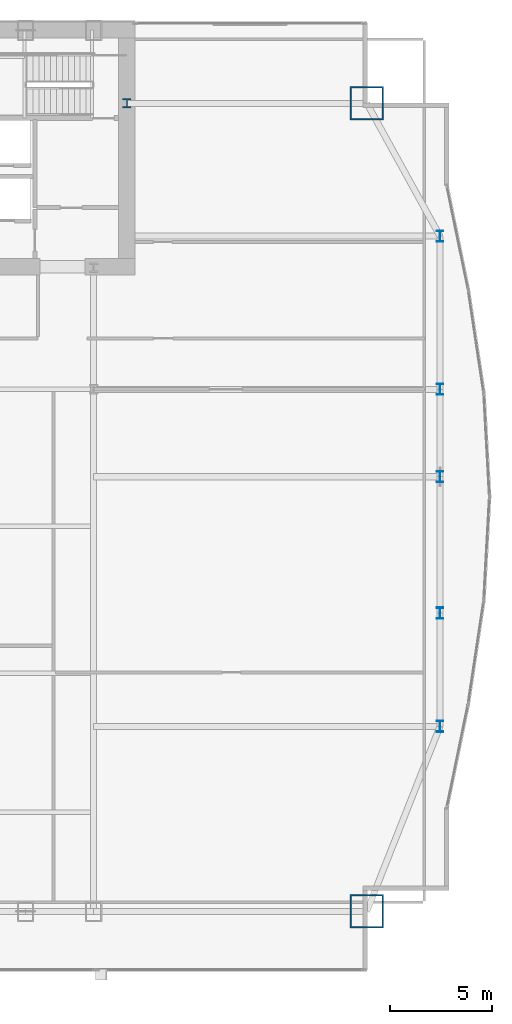
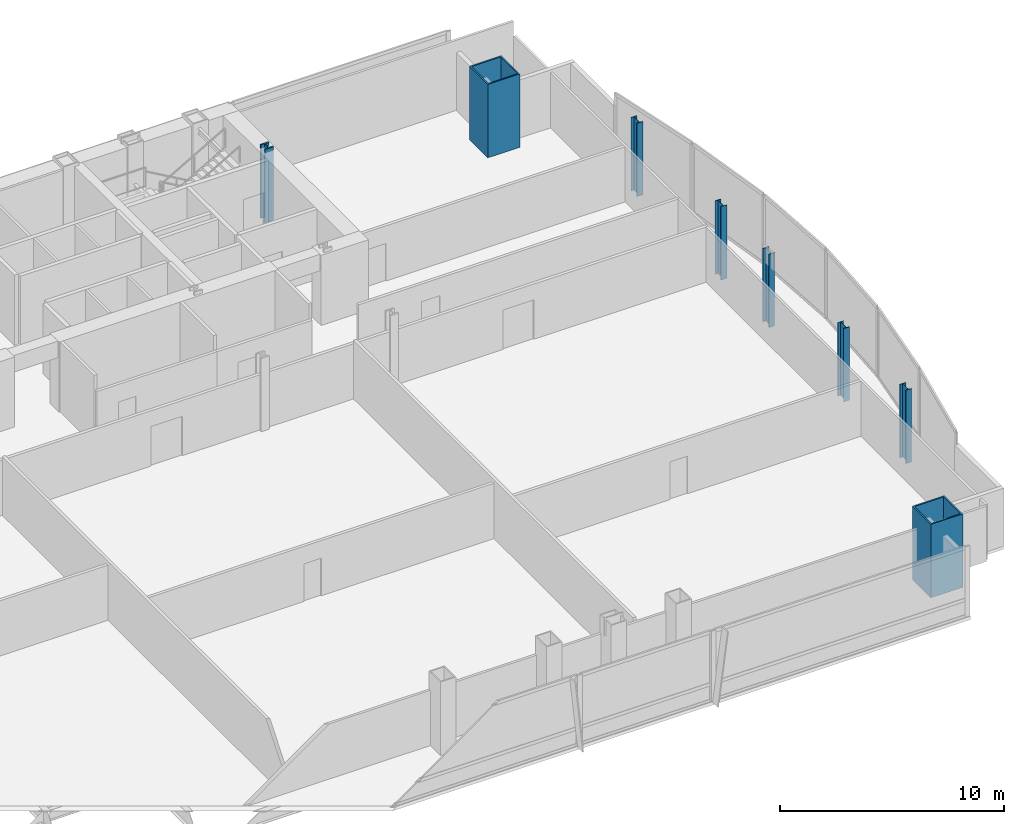
# One storey, part 4 of 36: 8 columns.
"""IFC4 building model written with IfcOpenShell, lengths in metres."""

import ifcopenshell
import ifcopenshell.guid

model = None  # the IFC model being written
_history = None  # IfcOwnerHistory: only IFC2X3 demands one
_inside = {}  # id of a spatial element -> (the spatial element, [elements in it])
_under = {}  # id of a project, library or spatial element -> (it, [spatial elements below it])
_declared = {}  # id of a project -> (the project, [libraries it declares])
_typed = {}  # id of a type object -> (the type object, [elements of that type])
_made_of = {}  # id of a material, layer set ... -> (it, [elements and type objects made of it])


def new_model(schema):
    """Start an empty IFC model of exactly this schema.

    Asked for "IFC4X3", IfcOpenShell would pick the latest addendum, in which some entities
    have other attributes; the version numbers below select the first issue.
    IFC2X3 requires an IfcOwnerHistory on every rooted entity: one is made here for all.
    """
    global model, _history
    if schema == "IFC4X3":
        model = ifcopenshell.file(schema_version=(4, 3, 0, 0))
    else:
        model = ifcopenshell.file(schema=schema)
    _inside.clear()
    _under.clear()
    _declared.clear()
    _typed.clear()
    _made_of.clear()
    _history = None
    if model.schema == "IFC2X3":
        org = make("IfcOrganization", Name="unknown")
        user = make(
            "IfcPersonAndOrganization",
            ThePerson=make("IfcPerson", FamilyName="unknown"),
            TheOrganization=org,
        )
        app = make(
            "IfcApplication",
            ApplicationDeveloper=org,
            Version="unknown",
            ApplicationFullName="unknown",
            ApplicationIdentifier="unknown",
        )
        _history = make(
            "IfcOwnerHistory",
            OwningUser=user,
            OwningApplication=app,
            ChangeAction="ADDED",
            CreationDate=0,
        )
    return model


def make(cls, **values):
    """One entity of the class cls with the attributes given. An attribute that is None is left unset."""
    return model.create_entity(
        cls, **{name: value for name, value in values.items() if value is not None}
    )


def rooted(cls, **values):
    """An entity with a GlobalId (a new one), such as an element, a storey or a relation."""
    return make(cls, GlobalId=ifcopenshell.guid.new(), OwnerHistory=_history, **values)


def si_unit(unit_type, name, prefix=None):
    """IfcSIUnit, for example si_unit("LENGTHUNIT", "METRE", prefix="MILLI")."""
    return make("IfcSIUnit", UnitType=unit_type, Prefix=prefix, Name=name)


def assignment(units):
    """IfcUnitAssignment: the units of a project."""
    return None if units is None else make("IfcUnitAssignment", Units=units)


def point(xyz):
    """IfcCartesianPoint."""
    return None if xyz is None else make("IfcCartesianPoint", Coordinates=xyz)


def direction(xyz):
    """IfcDirection."""
    return None if xyz is None else make("IfcDirection", DirectionRatios=xyz)


def frame(location, z_axis=None, x_axis=None):
    """IfcAxis2Placement3D, a coordinate frame: its origin and axes. An axis left out is left unset."""
    return make(
        "IfcAxis2Placement3D",
        Location=point(location),
        Axis=direction(z_axis),
        RefDirection=direction(x_axis),
    )


def frame_2d(location, x_axis=None):
    """IfcAxis2Placement2D, a coordinate frame in the plane: its origin and x axis."""
    return make(
        "IfcAxis2Placement2D", Location=point(location), RefDirection=direction(x_axis)
    )


def origin():
    """The frame at (0, 0, 0) with its axes left unset."""
    return frame((0.0, 0.0, 0.0))


def origin_2d():
    """The frame at (0, 0) in the plane with its x axis left unset."""
    return frame_2d((0.0, 0.0))


def place(relative_to, where):
    """IfcLocalPlacement: puts the frame where relative to a parent placement (None: the world)."""
    return make(
        "IfcLocalPlacement", PlacementRelTo=relative_to, RelativePlacement=where
    )


def context(
    kind, dimensions, precision=None, world=None, true_north=None, identifier=None
):
    """IfcGeometricRepresentationContext, for example the 3D "Model" context."""
    return make(
        "IfcGeometricRepresentationContext",
        ContextIdentifier=identifier,
        ContextType=kind,
        CoordinateSpaceDimension=dimensions,
        Precision=precision,
        WorldCoordinateSystem=world,
        TrueNorth=true_north,
    )


def subcontext(parent, identifier, kind, view, scale=None):
    """IfcGeometricRepresentationSubContext, for example "Body" below "Model"."""
    return make(
        "IfcGeometricRepresentationSubContext",
        ContextIdentifier=identifier,
        ContextType=kind,
        ParentContext=parent,
        TargetScale=scale,
        TargetView=view,
    )


def project(units=None, contexts=None):
    """IfcProject with its units and contexts."""
    return rooted(
        "IfcProject",
        Name="project",
        RepresentationContexts=contexts,
        UnitsInContext=assignment(units),
    )


def spatial(cls, under=None, at=None, **own):
    """A site, building, storey or space (cls), placed at a placement, below another one or the project."""
    s = rooted(cls, ObjectPlacement=at, **own)
    if under is not None:
        _under.setdefault(under.id(), (under, []))[1].append(s)
    return s


def profile(cls, at=None, kind="AREA", **sizes):
    """A parametric profile (cls). Its sizes go by their IFC names, for example OverallWidth=200.0."""
    return make(cls, ProfileType=kind, Position=at, **sizes)


def hollow_rectangle(**sizes):
    """IfcRectangleHollowProfileDef."""
    return profile("IfcRectangleHollowProfileDef", **sizes)


def i_section(**sizes):
    """IfcIShapeProfileDef."""
    return profile("IfcIShapeProfileDef", **sizes)


def extrude(swept, where, along, depth):
    """IfcExtrudedAreaSolid: the profile swept, set in the frame where, extruded along a direction by depth."""
    return make(
        "IfcExtrudedAreaSolid",
        SweptArea=swept,
        Position=where,
        ExtrudedDirection=direction(along),
        Depth=depth,
    )


def shape(context_of_items, identifier, shape_type, items):
    """IfcShapeRepresentation: the items that make up one representation, for example the "Body"."""
    return make(
        "IfcShapeRepresentation",
        ContextOfItems=context_of_items,
        RepresentationIdentifier=identifier,
        RepresentationType=shape_type,
        Items=items,
    )


def material(Name=None, Category=None):
    """IfcMaterial."""
    return make("IfcMaterial", Name=Name, Category=Category)


def material_profile(
    of_material, cross_section, Name=None, Category=None, Priority=None
):
    """IfcMaterialProfile: a cross section and its material."""
    return make(
        "IfcMaterialProfile",
        Name=Name,
        Material=of_material,
        Profile=cross_section,
        Priority=Priority,
        Category=Category,
    )


def profile_set(profiles, Name=None, composite=None):
    """IfcMaterialProfileSet."""
    return make(
        "IfcMaterialProfileSet",
        Name=Name,
        MaterialProfiles=profiles,
        CompositeProfile=composite,
    )


def made_of(thing, what):
    """Note that an element or type object is made of a material, layer set ...; save() writes the relation."""
    if what is not None:
        _made_of.setdefault(what.id(), (what, []))[1].append(thing)
    return thing


def type_object(cls, material=None, **own):
    """A type object (cls), such as IfcWallType, which elements share."""
    return made_of(rooted(cls, **own), material)


def element(
    cls,
    number,
    at=None,
    inside=None,
    cuts=None,
    type_object=None,
    material=None,
    context=None,
    identifier="Body",
    shape_type=None,
    held_by="IfcProductDefinitionShape",
    body=None,
    shapes=None,
    **own,
):
    """One element of the class cls, such as IfcWall. Its Tag is "e" and its number.

    at: its placement. inside: the storey or other place that contains it. cuts: it is an
    opening in that element (IfcRelVoidsElement). A single representation is given by context,
    identifier, shape_type and body (its items); several are given by shapes. held_by: the class
    of the entity that holds the representations. save() writes the other relations.
    """
    e = rooted(cls, Tag="e%d" % number, ObjectPlacement=at, **own)
    if body is not None:
        shapes = [shape(context, identifier, shape_type, body)]
    if shapes is not None:
        e.Representation = make(held_by, Representations=shapes)
    if inside is not None:
        _inside.setdefault(inside.id(), (inside, []))[1].append(e)
    if cuts is not None:
        rooted(
            "IfcRelVoidsElement", RelatingBuildingElement=cuts, RelatedOpeningElement=e
        )
    if type_object is not None:
        _typed.setdefault(type_object.id(), (type_object, []))[1].append(e)
    return made_of(e, material)


def aggregate(whole, parts):
    """IfcRelAggregates: a whole, such as a stair, and the parts it consists of."""
    return rooted("IfcRelAggregates", RelatingObject=whole, RelatedObjects=parts)


def save(model, path):
    """Write the relations noted so far, then the file.

    IfcRelAggregates (storeys below a building ...), IfcRelContainedInSpatialStructure (elements
    in a storey), IfcRelDefinesByType, IfcRelAssociatesMaterial and IfcRelDeclares: one each for
    every whole, place, type object, material and project.
    """
    for whole, parts in _under.values():
        aggregate(whole, parts)
    for where, things in _inside.values():
        rooted(
            "IfcRelContainedInSpatialStructure",
            RelatedElements=things,
            RelatingStructure=where,
        )
    for kind, things in _typed.values():
        rooted("IfcRelDefinesByType", RelatedObjects=things, RelatingType=kind)
    for what, things in _made_of.values():
        rooted("IfcRelAssociatesMaterial", RelatedObjects=things, RelatingMaterial=what)
    for by, libraries in _declared.values():
        rooted("IfcRelDeclares", RelatingContext=by, RelatedDefinitions=libraries)
    model.write(path)


model = new_model("IFC4")

# Units and contexts
model_context = context("Model", 3, precision=1e-05, world=origin(), true_north=direction((0.0, 1.0)))
body_context = subcontext(model_context, "Body", "Model", "MODEL_VIEW")
ifc_project = project(units=[si_unit("LENGTHUNIT", "METRE"), si_unit("AREAUNIT", "SQUARE_METRE"), si_unit("VOLUMEUNIT", "CUBIC_METRE"), si_unit("PLANEANGLEUNIT", "RADIAN"), si_unit("MASSUNIT", "GRAM", prefix="KILO")], contexts=[model_context])

# Site, building, storey
site_placement = place(None, origin())
site = spatial("IfcSite", under=ifc_project, at=site_placement, CompositionType="ELEMENT")
building_placement = place(site_placement, origin())
building = spatial("IfcBuilding", under=site, at=building_placement, Name="Khoronbel Lancet Exchange", CompositionType="ELEMENT")
storey_placement = place(building_placement, frame((0.0, 0.0, 57.800048828125)))
storey = spatial("IfcBuildingStorey", under=building, at=storey_placement, Name="L13", CompositionType="ELEMENT", Elevation=57.800048828125)

# Columns
ifc_material_1 = material(Name="Steel S460", Category="steel")
ifc_material_profile_1 = material_profile(ifc_material_1, i_section(OverallWidth=0.424072265625, OverallDepth=0.47412109375, WebThickness=0.047607421875, FlangeThickness=0.076904296875, at=origin_2d()), Name="HD 400x634")
ifc_profile_set_1 = profile_set([ifc_material_profile_1], Name="Steel S460")
column_type_1 = type_object("IfcColumnType", Name="COL-IC1", PredefinedType="COLUMN", material=ifc_profile_set_1)
column_placement = place(storey_placement, frame((56.300048828125, 49.699951171875, 0.0), z_axis=(0.0, 0.0, 1.0), x_axis=(1.0, 0.0, 0.0)))
element("IfcColumn", 1, at=column_placement, inside=storey, type_object=column_type_1, Name="Core-flank plumb transfer column CFE L13", PredefinedType="COLUMN", context=body_context, shape_type="SweptSolid", body=[
    extrude(i_section(OverallWidth=0.424072265625, OverallDepth=0.47412109375, WebThickness=0.047607421875, FlangeThickness=0.076904296875, at=origin_2d()), origin(), (0.0, 0.0, 1.0), 4.0),
])
ifc_material_2 = material(Name="Steel S355", Category="steel")
ifc_material_profile_2 = material_profile(ifc_material_2, i_section(OverallWidth=0.300048828125, OverallDepth=0.550048828125, WebThickness=0.014892578125, FlangeThickness=0.029052734375, at=origin_2d()), Name="HEB 550")
ifc_profile_set_2 = profile_set([ifc_material_profile_2], Name="Steel S355")
column_type_2 = type_object("IfcColumnType", Name="COL-LC1", PredefinedType="COLUMN", material=ifc_profile_set_2)
for number, where, z_axis, x_axis, name in (
    (2, (71.6298828125, 19.199951171875, 0.0), (0.0, 0.0, 1.0), (1.0, 0.0, 0.0), "Structural column EC-1 L13"),
    (3, (71.6298828125, 24.75, 0.0), (0.0, 0.0, 1.0), (1.0, 0.0, 0.0), "Structural column EC-2 L13"),
    (4, (71.6298828125, 31.425048828125, 0.0), (0.0, 0.0, 1.0), (1.0, 0.0, 0.0), "Structural column EC-M L13"),
    (5, (71.6298828125, 35.699951171875, 0.0), (0.0, 0.0, 1.0), (1.0, 0.0, 0.0), "Structural column EC-3 L13"),
    (6, (71.6298828125, 43.199951171875, 0.0), (0.0, 0.0, 1.0), (1.0, 0.0, 0.0), "Structural column EC-4 L13"),
):
    element("IfcColumn", number, at=place(storey_placement, frame(where, z_axis=z_axis, x_axis=x_axis)), inside=storey, type_object=column_type_2, Name=name, PredefinedType="COLUMN", context=body_context, shape_type="SweptSolid", body=[
        extrude(i_section(OverallWidth=0.300048828125, OverallDepth=0.550048828125, WebThickness=0.014892578125, FlangeThickness=0.029052734375, at=origin_2d()), origin(), (0.0, 0.0, 1.0), 4.0),
    ])
ifc_material_profile_3 = material_profile(ifc_material_1, hollow_rectangle(XDim=1.64990234375, YDim=1.64990234375, WallThickness=0.074951171875, at=origin_2d()), Name="BOX 1650x1650x75")
ifc_profile_set_3 = profile_set([ifc_material_profile_3], Name="Steel S460")
column_type_3 = type_object("IfcColumnType", Name="COL-MC2", PredefinedType="COLUMN", material=ifc_profile_set_3)
for number, where, z_axis, x_axis, name in (
    (7, (68.050048828125, 10.14990234375, 0.0), (0.0, 0.0, 1.0), (1.0, 0.0, 0.0), "Structural column MC-SE L13"),
    (8, (68.050048828125, 49.699951171875, 0.0), (0.0, 0.0, 1.0), (1.0, 0.0, 0.0), "Structural column MC-NE L13"),
):
    element("IfcColumn", number, at=place(storey_placement, frame(where, z_axis=z_axis, x_axis=x_axis)), inside=storey, type_object=column_type_3, Name=name, PredefinedType="COLUMN", context=body_context, shape_type="SweptSolid", body=[
        extrude(hollow_rectangle(XDim=1.64990234375, YDim=1.64990234375, WallThickness=0.074951171875, at=origin_2d()), origin(), (0.0, 0.0, 1.0), 4.0),
    ])

save(model, "model.ifc")
